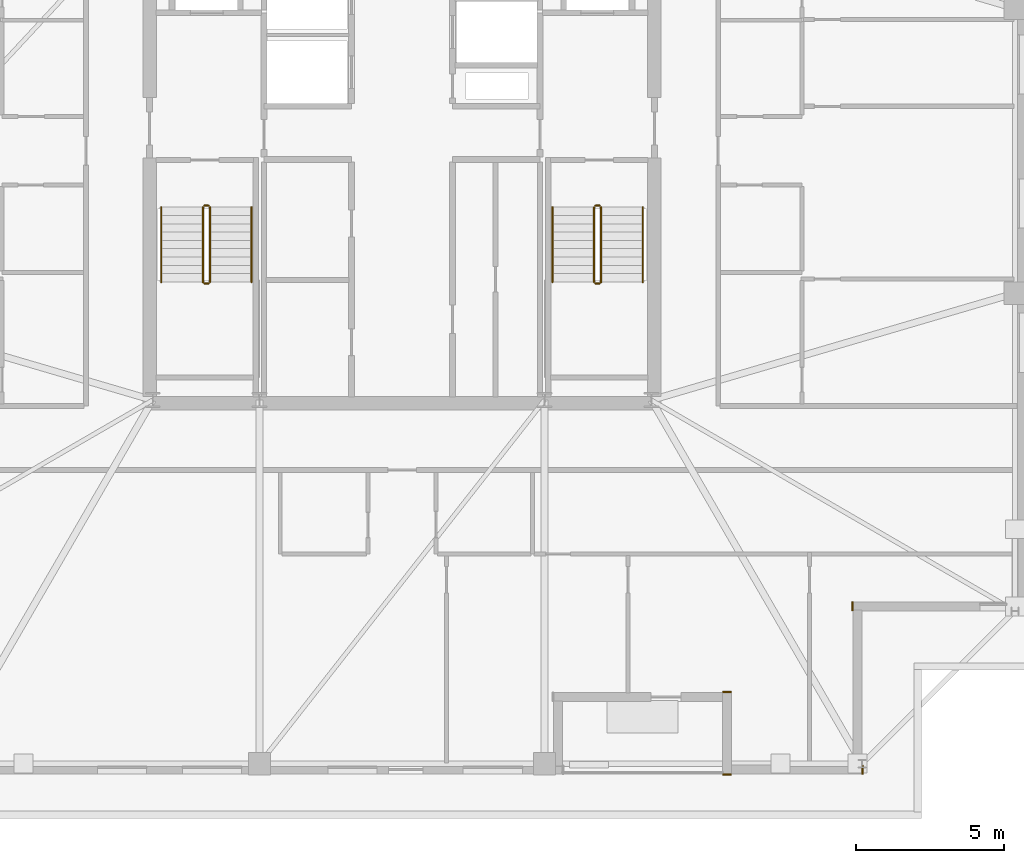
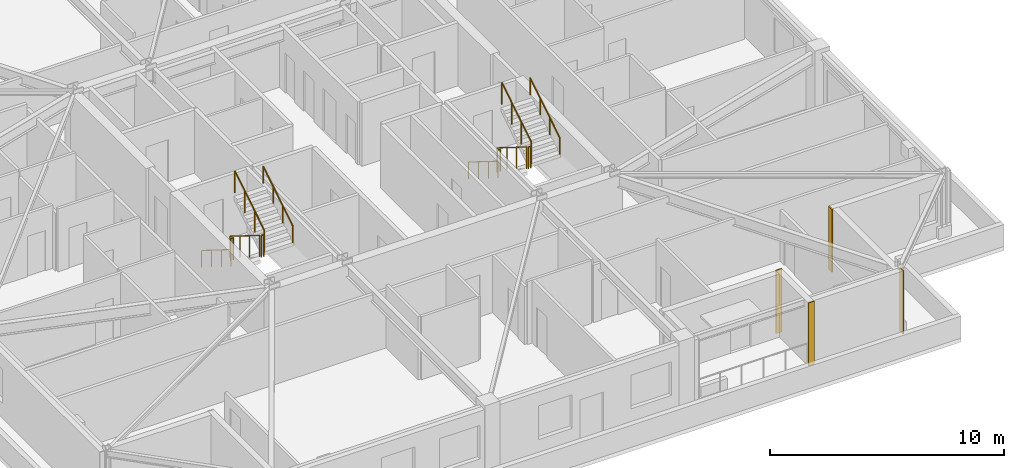
# One storey, part 13 of 15: 12 railings, 4 coverings.
"""IFC4 building model written with IfcOpenShell, lengths in metres."""

from ifc_helpers import new_model, si_unit, direction, frame, frame_2d, origin, origin_2d, place, context, subcontext, project, spatial, rectangle, circle, extrude, material, layer, layer_set, type_object, element, save


model = new_model("IFC4")

# Units and contexts
model_context = context("Model", 3, precision=1e-05, world=origin(), true_north=direction((0.0, 1.0)))
body_context = subcontext(model_context, "Body", "Model", "MODEL_VIEW")
ifc_project = project(units=[si_unit("LENGTHUNIT", "METRE"), si_unit("AREAUNIT", "SQUARE_METRE"), si_unit("VOLUMEUNIT", "CUBIC_METRE"), si_unit("PLANEANGLEUNIT", "RADIAN"), si_unit("MASSUNIT", "GRAM", prefix="KILO")], contexts=[model_context])

# Site, building, storey
site_placement = place(None, origin())
site = spatial("IfcSite", under=ifc_project, at=site_placement, CompositionType="ELEMENT")
building_placement = place(site_placement, origin())
building = spatial("IfcBuilding", under=site, at=building_placement, Name="Cairnveth Concourse Tower", CompositionType="ELEMENT")
storey_placement = place(building_placement, frame((0.0, 0.0, 280.5)))
storey = spatial("IfcBuildingStorey", under=building, at=storey_placement, Name="L77", CompositionType="ELEMENT", Elevation=280.5)

# Coverings
ifc_material_1 = material(Name="Dressed Melbourne Bluestone Cladding", Category="masonry")
ifc_layer = layer(ifc_material_1, 0.050048828125)
ifc_layer_set = layer_set([ifc_layer], Name="Dressed Melbourne Bluestone Cladding")
covering_type = type_object("IfcCoveringType", Name="DRESSED BLUESTONE PLINTH CLADDING 50", PredefinedType="CLADDING", material=ifc_layer_set)
for number, where, z_axis, x_axis, name in (
    (1, (67.179931640625, 23.800048828125, 0.0), (0.0, 0.0, 1.0), (0.0, -1.0, 0.0), "Melbourne Bluestone Corner Quoin L77-1174"),
    (2, (67.52001953125, 18.300048828125, 0.0), (0.0, 0.0, 1.0), (0.0, -1.0, 0.0), "Melbourne Bluestone Corner Quoin L77-1175"),
    (3, (63.10009765625, 17.97998046875, 0.0), (0.0, 0.0, 1.0), (-1.0, 0.0, 0.0), "Melbourne Bluestone Corner Quoin L77-1176"),
    (4, (63.10009765625, 20.77001953125, 0.0), (0.0, 0.0, 1.0), (-1.0, 0.0, 0.0), "Melbourne Bluestone Corner Quoin L77-1177"),
):
    element("IfcCovering", number, at=place(storey_placement, frame(where, z_axis=z_axis, x_axis=x_axis)), inside=storey, type_object=covering_type, Name=name, PredefinedType="CLADDING", context=body_context, shape_type="SweptSolid", body=[
        extrude(rectangle(XDim=0.300048828125, YDim=0.050048828125, at=frame_2d((0.14990234375, 0.0))), origin(), (0.0, 0.0, 1.0), 3.2900390625),
    ])

# Railings
ifc_material_2 = material(Name="Steel Grade 350", Category="steel")
railing_type_1 = type_object("IfcRailingType", Name="STAIR GUARDRAIL 1150", PredefinedType="GUARDRAIL", material=ifc_material_2)
railing_1_placement = place(storey_placement, frame((45.2900390625, 37.10009765625, 0.175048828125)))
element("IfcRailing", 5, at=railing_1_placement, inside=storey, type_object=railing_type_1, Name="L77 ST-1 stair guard 1", PredefinedType="GUARDRAIL", context=body_context, shape_type="SweptSolid", body=[
    extrude(circle(Radius=0.02392578125, at=origin_2d()), frame((0.0, 0.0, 1.1259765625), z_axis=(0.0, -0.848007534815, 0.529984170421), x_axis=(1.0, 0.0, 0.0)), (0.0, 0.0, 1.0), 2.9716796875),
    extrude(circle(Radius=0.02099609375, at=origin_2d()), origin(), (0.0, 0.0, 1.0), 1.101806640625),
    extrude(circle(Radius=0.02099609375, at=origin_2d()), frame((0.0, -0.840087890625, 0.52490234375)), (0.0, 0.0, 1.0), 1.101806640625),
    extrude(circle(Radius=0.02099609375, at=origin_2d()), frame((0.0, -1.679931640625, 1.050048828125)), (0.0, 0.0, 1.0), 1.101806640625),
    extrude(circle(Radius=0.02099609375, at=origin_2d()), frame((0.0, -2.52001953125, 1.574951171875)), (0.0, 0.0, 1.0), 1.101806640625),
])
railing_2_placement = place(storey_placement, frame((45.340087890625, 34.530029296875, 1.75)))
element("IfcRailing", 6, at=railing_2_placement, inside=storey, type_object=railing_type_1, Name="L77 ST-1 stair guard 2", PredefinedType="GUARDRAIL", context=body_context, shape_type="SweptSolid", body=[
    extrude(circle(Radius=0.02392578125, at=origin_2d()), frame((0.0, 0.0, 1.1259765625), z_axis=(1.0, 0.0, 0.0), x_axis=(0.0, 1.0, 0.0)), (0.0, 0.0, 1.0), 0.139892578125),
    extrude(circle(Radius=0.02099609375, at=origin_2d()), origin(), (0.0, 0.0, 1.0), 1.101806640625),
    extrude(circle(Radius=0.02099609375, at=origin_2d()), frame((0.139892578125, 0.0, 0.0)), (0.0, 0.0, 1.0), 1.101806640625),
])
railing_3_placement = place(storey_placement, frame((45.530029296875, 34.580078125, 1.925048828125)))
element("IfcRailing", 7, at=railing_3_placement, inside=storey, type_object=railing_type_1, Name="L77 ST-1 stair guard 3", PredefinedType="GUARDRAIL", context=body_context, shape_type="SweptSolid", body=[
    extrude(circle(Radius=0.02392578125, at=origin_2d()), frame((0.0, 0.0, 1.1259765625), z_axis=(0.0, 0.848007534815, 0.529984170421), x_axis=(-1.0, 0.0, 0.0)), (0.0, 0.0, 1.0), 2.9716796875),
    extrude(circle(Radius=0.02099609375, at=origin_2d()), origin(), (0.0, 0.0, 1.0), 1.101806640625),
    extrude(circle(Radius=0.02099609375, at=origin_2d()), frame((0.0, 0.840087890625, 0.52490234375)), (0.0, 0.0, 1.0), 1.101806640625),
    extrude(circle(Radius=0.02099609375, at=origin_2d()), frame((0.0, 1.679931640625, 1.050048828125)), (0.0, 0.0, 1.0), 1.101806640625),
    extrude(circle(Radius=0.02099609375, at=origin_2d()), frame((0.0, 2.52001953125, 1.574951171875)), (0.0, 0.0, 1.0), 1.101806640625),
])
railing_4_placement = place(storey_placement, frame((45.340087890625, 37.14990234375, 0.0)))
element("IfcRailing", 8, at=railing_4_placement, inside=storey, type_object=railing_type_1, Name="L77 ST-1 stair guard 4", PredefinedType="GUARDRAIL", context=body_context, shape_type="SweptSolid", body=[
    extrude(circle(Radius=0.02392578125, at=origin_2d()), frame((0.0, 0.0, 1.1259765625), z_axis=(1.0, 0.0, 0.0), x_axis=(0.0, 1.0, 0.0)), (0.0, 0.0, 1.0), 0.139892578125),
    extrude(circle(Radius=0.02099609375, at=origin_2d()), origin(), (0.0, 0.0, 1.0), 1.101806640625),
    extrude(circle(Radius=0.02099609375, at=origin_2d()), frame((0.139892578125, 0.0, 0.0)), (0.0, 0.0, 1.0), 1.101806640625),
])
railing_5_placement = place(storey_placement, frame((58.469970703125, 37.10009765625, 0.175048828125)))
element("IfcRailing", 9, at=railing_5_placement, inside=storey, type_object=railing_type_1, Name="L77 ST-2 stair guard 1", PredefinedType="GUARDRAIL", context=body_context, shape_type="SweptSolid", body=[
    extrude(circle(Radius=0.02392578125, at=origin_2d()), frame((0.0, 0.0, 1.1259765625), z_axis=(0.0, -0.848007534815, 0.529984170421), x_axis=(1.0, 0.0, 0.0)), (0.0, 0.0, 1.0), 2.9716796875),
    extrude(circle(Radius=0.02099609375, at=origin_2d()), origin(), (0.0, 0.0, 1.0), 1.101806640625),
    extrude(circle(Radius=0.02099609375, at=origin_2d()), frame((0.0, -0.840087890625, 0.52490234375)), (0.0, 0.0, 1.0), 1.101806640625),
    extrude(circle(Radius=0.02099609375, at=origin_2d()), frame((0.0, -1.679931640625, 1.050048828125)), (0.0, 0.0, 1.0), 1.101806640625),
    extrude(circle(Radius=0.02099609375, at=origin_2d()), frame((0.0, -2.52001953125, 1.574951171875)), (0.0, 0.0, 1.0), 1.101806640625),
])
railing_6_placement = place(storey_placement, frame((58.52001953125, 34.530029296875, 1.75)))
element("IfcRailing", 10, at=railing_6_placement, inside=storey, type_object=railing_type_1, Name="L77 ST-2 stair guard 2", PredefinedType="GUARDRAIL", context=body_context, shape_type="SweptSolid", body=[
    extrude(circle(Radius=0.02392578125, at=origin_2d()), frame((0.0, 0.0, 1.1259765625), z_axis=(1.0, 0.0, 0.0), x_axis=(0.0, 1.0, 0.0)), (0.0, 0.0, 1.0), 0.139892578125),
    extrude(circle(Radius=0.02099609375, at=origin_2d()), origin(), (0.0, 0.0, 1.0), 1.101806640625),
    extrude(circle(Radius=0.02099609375, at=origin_2d()), frame((0.139892578125, 0.0, 0.0)), (0.0, 0.0, 1.0), 1.101806640625),
])
railing_7_placement = place(storey_placement, frame((58.7099609375, 34.580078125, 1.925048828125)))
element("IfcRailing", 11, at=railing_7_placement, inside=storey, type_object=railing_type_1, Name="L77 ST-2 stair guard 3", PredefinedType="GUARDRAIL", context=body_context, shape_type="SweptSolid", body=[
    extrude(circle(Radius=0.02392578125, at=origin_2d()), frame((0.0, 0.0, 1.1259765625), z_axis=(0.0, 0.848007534815, 0.529984170421), x_axis=(-1.0, 0.0, 0.0)), (0.0, 0.0, 1.0), 2.9716796875),
    extrude(circle(Radius=0.02099609375, at=origin_2d()), origin(), (0.0, 0.0, 1.0), 1.101806640625),
    extrude(circle(Radius=0.02099609375, at=origin_2d()), frame((0.0, 0.840087890625, 0.52490234375)), (0.0, 0.0, 1.0), 1.101806640625),
    extrude(circle(Radius=0.02099609375, at=origin_2d()), frame((0.0, 1.679931640625, 1.050048828125)), (0.0, 0.0, 1.0), 1.101806640625),
    extrude(circle(Radius=0.02099609375, at=origin_2d()), frame((0.0, 2.52001953125, 1.574951171875)), (0.0, 0.0, 1.0), 1.101806640625),
])
railing_8_placement = place(storey_placement, frame((58.52001953125, 37.14990234375, 0.0)))
element("IfcRailing", 12, at=railing_8_placement, inside=storey, type_object=railing_type_1, Name="L77 ST-2 stair guard 4", PredefinedType="GUARDRAIL", context=body_context, shape_type="SweptSolid", body=[
    extrude(circle(Radius=0.02392578125, at=origin_2d()), frame((0.0, 0.0, 1.1259765625), z_axis=(1.0, 0.0, 0.0), x_axis=(0.0, 1.0, 0.0)), (0.0, 0.0, 1.0), 0.139892578125),
    extrude(circle(Radius=0.02099609375, at=origin_2d()), origin(), (0.0, 0.0, 1.0), 1.101806640625),
    extrude(circle(Radius=0.02099609375, at=origin_2d()), frame((0.139892578125, 0.0, 0.0)), (0.0, 0.0, 1.0), 1.101806640625),
])
railing_type_2 = type_object("IfcRailingType", Name="STAIR WALL HANDRAIL 900", PredefinedType="HANDRAIL", material=ifc_material_2)
railing_9_placement = place(storey_placement, frame((43.889892578125, 37.10009765625, 0.175048828125)))
element("IfcRailing", 13, at=railing_9_placement, inside=storey, type_object=railing_type_2, Name="L77 ST-1 stair handrail 1", PredefinedType="HANDRAIL", context=body_context, shape_type="SweptSolid", body=[
    extrude(circle(Radius=0.02392578125, at=origin_2d()), frame((0.0, 0.0, 0.8759765625), z_axis=(0.0, -0.848007534815, 0.529984170421), x_axis=(1.0, 0.0, 0.0)), (0.0, 0.0, 1.0), 2.9716796875),
    extrude(circle(Radius=0.02099609375, at=origin_2d()), origin(), (0.0, 0.0, 1.0), 0.851806640625),
    extrude(circle(Radius=0.02099609375, at=origin_2d()), frame((0.0, -0.840087890625, 0.52490234375)), (0.0, 0.0, 1.0), 0.851806640625),
    extrude(circle(Radius=0.02099609375, at=origin_2d()), frame((0.0, -1.679931640625, 1.050048828125)), (0.0, 0.0, 1.0), 0.851806640625),
    extrude(circle(Radius=0.02099609375, at=origin_2d()), frame((0.0, -2.52001953125, 1.574951171875)), (0.0, 0.0, 1.0), 0.851806640625),
])
railing_10_placement = place(storey_placement, frame((46.929931640625, 34.580078125, 1.925048828125)))
element("IfcRailing", 14, at=railing_10_placement, inside=storey, type_object=railing_type_2, Name="L77 ST-1 stair handrail 2", PredefinedType="HANDRAIL", context=body_context, shape_type="SweptSolid", body=[
    extrude(circle(Radius=0.02392578125, at=origin_2d()), frame((0.0, 0.0, 0.8759765625), z_axis=(0.0, 0.848007534815, 0.529984170421), x_axis=(-1.0, 0.0, 0.0)), (0.0, 0.0, 1.0), 2.9716796875),
    extrude(circle(Radius=0.02099609375, at=origin_2d()), origin(), (0.0, 0.0, 1.0), 0.851806640625),
    extrude(circle(Radius=0.02099609375, at=origin_2d()), frame((0.0, 0.840087890625, 0.52490234375)), (0.0, 0.0, 1.0), 0.851806640625),
    extrude(circle(Radius=0.02099609375, at=origin_2d()), frame((0.0, 1.679931640625, 1.050048828125)), (0.0, 0.0, 1.0), 0.851806640625),
    extrude(circle(Radius=0.02099609375, at=origin_2d()), frame((0.0, 2.52001953125, 1.574951171875)), (0.0, 0.0, 1.0), 0.851806640625),
])
railing_11_placement = place(storey_placement, frame((57.070068359375, 37.10009765625, 0.175048828125)))
element("IfcRailing", 15, at=railing_11_placement, inside=storey, type_object=railing_type_2, Name="L77 ST-2 stair handrail 1", PredefinedType="HANDRAIL", context=body_context, shape_type="SweptSolid", body=[
    extrude(circle(Radius=0.02392578125, at=origin_2d()), frame((0.0, 0.0, 0.8759765625), z_axis=(0.0, -0.848007534815, 0.529984170421), x_axis=(1.0, 0.0, 0.0)), (0.0, 0.0, 1.0), 2.9716796875),
    extrude(circle(Radius=0.02099609375, at=origin_2d()), origin(), (0.0, 0.0, 1.0), 0.851806640625),
    extrude(circle(Radius=0.02099609375, at=origin_2d()), frame((0.0, -0.840087890625, 0.52490234375)), (0.0, 0.0, 1.0), 0.851806640625),
    extrude(circle(Radius=0.02099609375, at=origin_2d()), frame((0.0, -1.679931640625, 1.050048828125)), (0.0, 0.0, 1.0), 0.851806640625),
    extrude(circle(Radius=0.02099609375, at=origin_2d()), frame((0.0, -2.52001953125, 1.574951171875)), (0.0, 0.0, 1.0), 0.851806640625),
])
railing_12_placement = place(storey_placement, frame((60.110107421875, 34.580078125, 1.925048828125)))
element("IfcRailing", 16, at=railing_12_placement, inside=storey, type_object=railing_type_2, Name="L77 ST-2 stair handrail 2", PredefinedType="HANDRAIL", context=body_context, shape_type="SweptSolid", body=[
    extrude(circle(Radius=0.02392578125, at=origin_2d()), frame((0.0, 0.0, 0.8759765625), z_axis=(0.0, 0.848007534815, 0.529984170421), x_axis=(-1.0, 0.0, 0.0)), (0.0, 0.0, 1.0), 2.9716796875),
    extrude(circle(Radius=0.02099609375, at=origin_2d()), origin(), (0.0, 0.0, 1.0), 0.851806640625),
    extrude(circle(Radius=0.02099609375, at=origin_2d()), frame((0.0, 0.840087890625, 0.52490234375)), (0.0, 0.0, 1.0), 0.851806640625),
    extrude(circle(Radius=0.02099609375, at=origin_2d()), frame((0.0, 1.679931640625, 1.050048828125)), (0.0, 0.0, 1.0), 0.851806640625),
    extrude(circle(Radius=0.02099609375, at=origin_2d()), frame((0.0, 2.52001953125, 1.574951171875)), (0.0, 0.0, 1.0), 0.851806640625),
])

save(model, "model.ifc")
